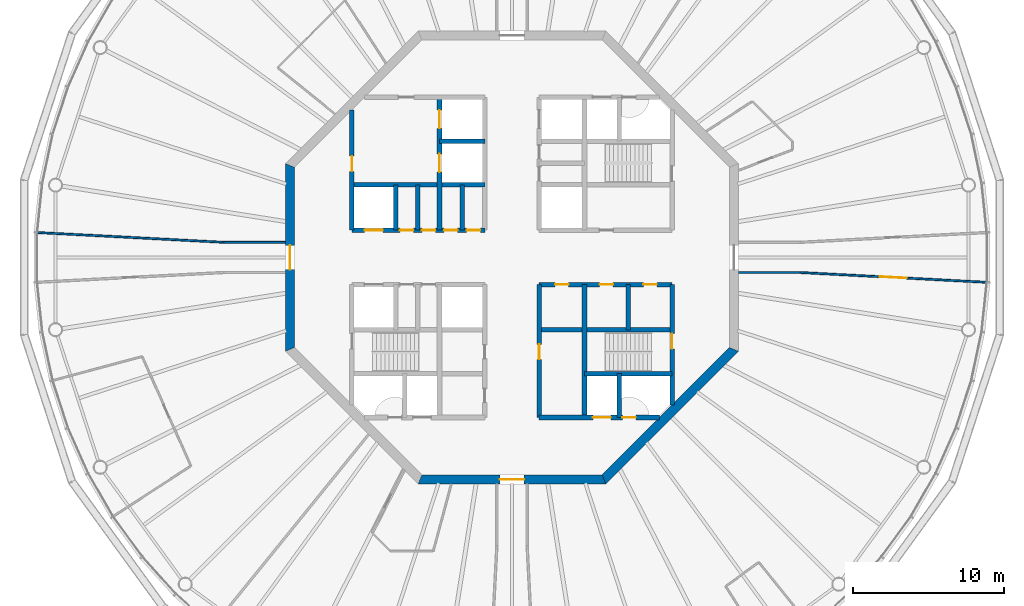
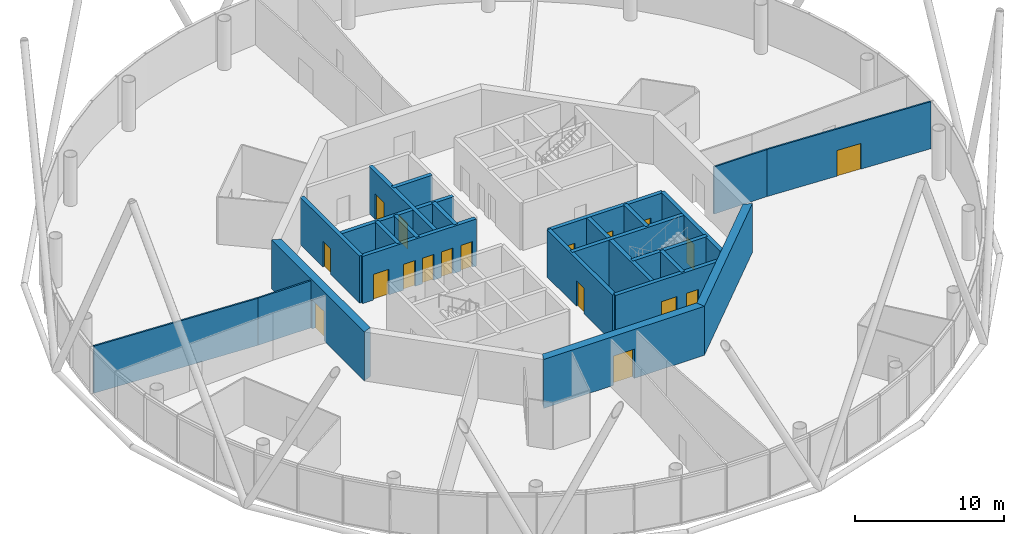
# One storey, part 4 of 13: 24 walls, 18 doors, 18 openings.
"""IFC4 building model written with IfcOpenShell, lengths in metres."""

from ifc_helpers import new_model, si_unit, direction, frame, frame_2d, origin, place, context, subcontext, project, spatial, polyline, rectangle, outline, extrude, material, layer, layer_set, type_object, element, fill, save


model = new_model("IFC4")

# Units and contexts
model_context = context("Model", 3, precision=1e-05, world=origin(), true_north=direction((0.0, 1.0)))
body_context = subcontext(model_context, "Body", "Model", "MODEL_VIEW")
ifc_project = project(units=[si_unit("LENGTHUNIT", "METRE"), si_unit("AREAUNIT", "SQUARE_METRE"), si_unit("VOLUMEUNIT", "CUBIC_METRE"), si_unit("PLANEANGLEUNIT", "RADIAN"), si_unit("MASSUNIT", "GRAM", prefix="KILO")], contexts=[model_context])

# Site, building, storey
site_placement = place(None, origin())
site = spatial("IfcSite", under=ifc_project, at=site_placement, CompositionType="ELEMENT")
building_placement = place(site_placement, origin())
building = spatial("IfcBuilding", under=site, at=building_placement, Name="Entoto Ring Tower", CompositionType="ELEMENT")
storey_placement = place(building_placement, frame((0.0, 0.0, 372.0)))
storey = spatial("IfcBuildingStorey", under=building, at=storey_placement, Name="L86", CompositionType="ELEMENT", Elevation=372.0)

# Wall, opening, door
ifc_material_1 = material(Name="Concrete C40/50", Category="concrete")
ifc_layer_1 = layer(ifc_material_1, 0.300048828125)
ifc_layer_set_1 = layer_set([ifc_layer_1], Name="Concrete C40/50")
wall_type_1 = type_object("IfcWallType", Name="Core enclosure wall 300 mm reinforced concrete", PredefinedType="SOLIDWALL", material=ifc_layer_set_1)
wall_1_placement = place(storey_placement, frame((100.60009765625, 70.2353515625, 0.0), z_axis=(0.0, 0.0, 1.0), x_axis=(0.0, 1.0, 0.0)))
wall_1 = element("IfcWall", 1, at=wall_1_placement, inside=storey, type_object=wall_type_1, Name="wall-L86-001", PredefinedType="SOLIDWALL", context=body_context, shape_type="SweptSolid", body=[
    extrude(rectangle(XDim=7.964599609375, YDim=0.300048828125, at=frame_2d((3.982421875, 0.0))), origin(), (0.0, 0.0, 1.0), 3.85009765625),
])
opening_1_placement = place(wall_1_placement, frame((3.714599609375, 0.0, 0.0)))
opening_1 = element("IfcOpeningElement", 2, at=opening_1_placement, cuts=wall_1, Name="Opening K-28", PredefinedType="OPENING", context=body_context, shape_type="SweptSolid", body=[
    extrude(rectangle(XDim=1.0, YDim=2.10009765625, at=frame_2d((0.5, 1.050048828125))), frame((0.0, 0.16015625, 0.0), z_axis=(0.0, -1.0, 0.0), x_axis=(1.0, 0.0, 0.0)), (0.0, 0.0, 1.0), 0.320068359375),
])
ifc_material_2 = material(Name="Steel door leaf, fire rated", Category="steel")
ifc_layer_2 = layer(ifc_material_2, 0.050048828125)
ifc_layer_set_2 = layer_set([ifc_layer_2], Name="Steel door leaf, fire rated")
door_type_1 = type_object("IfcDoorType", Name="Fire door FD60 1000 x 2100 single leaf", OperationType="NOTDEFINED", PredefinedType="DOOR", material=ifc_layer_set_2)
door_1_placement = place(opening_1_placement, origin())
door_1 = element("IfcDoor", 3, at=door_1_placement, inside=storey, type_object=door_type_1, Name="Door K-28", OperationType="SINGLE_SWING_RIGHT", OverallHeight=2.10009765625, OverallWidth=1.0, PredefinedType="DOOR", context=body_context, shape_type="SweptSolid", body=[
    extrude(rectangle(XDim=1.0, YDim=2.10009765625, at=frame_2d((0.5, 1.050048828125))), frame((0.0, 0.02490234375, 0.0), z_axis=(0.0, -1.0, 0.0), x_axis=(1.0, 0.0, 0.0)), (0.0, 0.0, 1.0), 0.050048828125),
])
fill(opening_1, door_1)

# Walls
wall_2_placement = place(storey_placement, frame((97.699951171875, 75.199951171875, 0.0), z_axis=(0.0, 0.0, 1.0), x_axis=(0.0, 1.0, 0.0)))
element("IfcWall", 4, at=wall_2_placement, inside=storey, type_object=wall_type_1, Name="wall-L86-003", PredefinedType="SOLIDWALL", context=body_context, shape_type="SweptSolid", body=[
    extrude(rectangle(XDim=3.0, YDim=0.300048828125, at=frame_2d((1.5, 0.0))), origin(), (0.0, 0.0, 1.0), 3.85009765625),
])
wall_3_placement = place(storey_placement, frame((97.10009765625, 69.39990234375, 0.0), z_axis=(0.0, 0.0, 1.0), x_axis=(0.0, 1.0, 0.0)))
element("IfcWall", 5, at=wall_3_placement, inside=storey, type_object=wall_type_1, Name="wall-L86-004", PredefinedType="SOLIDWALL", context=body_context, shape_type="SweptSolid", body=[
    extrude(rectangle(XDim=2.900146484375, YDim=0.300048828125, at=frame_2d((1.4501953125, 0.0))), origin(), (0.0, 0.0, 1.0), 3.85009765625),
])
wall_4_placement = place(storey_placement, frame((94.800048828125, 69.39990234375, 0.0), z_axis=(0.0, 0.0, 1.0), x_axis=(0.0, 1.0, 0.0)))
element("IfcWall", 6, at=wall_4_placement, inside=storey, type_object=wall_type_1, Name="wall-L86-006", PredefinedType="SOLIDWALL", context=body_context, shape_type="SweptSolid", body=[
    extrude(rectangle(XDim=8.800048828125, YDim=0.300048828125, at=frame_2d((4.39990234375, 0.0))), origin(), (0.0, 0.0, 1.0), 3.85009765625),
])

# Wall, opening, door
wall_5_placement = place(storey_placement, frame((91.800048828125, 69.39990234375, 0.0), z_axis=(0.0, 0.0, 1.0), x_axis=(0.0, 1.0, 0.0)))
wall_5 = element("IfcWall", 7, at=wall_5_placement, inside=storey, type_object=wall_type_1, Name="wall-L86-008", PredefinedType="SOLIDWALL", context=body_context, shape_type="SweptSolid", body=[
    extrude(rectangle(XDim=8.800048828125, YDim=0.300048828125, at=frame_2d((4.39990234375, 0.0))), origin(), (0.0, 0.0, 1.0), 3.85009765625),
])
opening_2_placement = place(wall_5_placement, frame((3.85009765625, 0.0, 0.0)))
opening_2 = element("IfcOpeningElement", 8, at=opening_2_placement, cuts=wall_5, Name="Opening K-64", PredefinedType="OPENING", context=body_context, shape_type="SweptSolid", body=[
    extrude(rectangle(XDim=1.0, YDim=2.10009765625, at=frame_2d((0.5, 1.050048828125))), frame((0.0, 0.16015625, 0.0), z_axis=(0.0, -1.0, 0.0), x_axis=(1.0, 0.0, 0.0)), (0.0, 0.0, 1.0), 0.320068359375),
])
ifc_material_3 = material(Name="Steel door leaf, fire rated", Category="steel")
ifc_layer_3 = layer(ifc_material_3, 0.050048828125)
ifc_layer_set_3 = layer_set([ifc_layer_3], Name="Steel door leaf, fire rated")
door_type_2 = type_object("IfcDoorType", Name="Accessible door 1000 x 2100 single leaf", OperationType="NOTDEFINED", PredefinedType="DOOR", material=ifc_layer_set_3)
door_2_placement = place(opening_2_placement, frame((1.0, 0.0, 0.0), z_axis=(0.0, 0.0, 1.0), x_axis=(-1.0, 0.0, 0.0)))
door_2 = element("IfcDoor", 9, at=door_2_placement, inside=storey, type_object=door_type_2, Name="Door K-64", OperationType="SINGLE_SWING_LEFT", OverallHeight=2.10009765625, OverallWidth=1.0, PredefinedType="DOOR", context=body_context, shape_type="SweptSolid", body=[
    extrude(rectangle(XDim=1.0, YDim=2.10009765625, at=frame_2d((0.5, 1.050048828125))), frame((0.0, 0.02490234375, 0.0), z_axis=(0.0, -1.0, 0.0), x_axis=(1.0, 0.0, 0.0)), (0.0, 0.0, 1.0), 0.050048828125),
])
fill(opening_2, door_2)

# Wall
wall_6_placement = place(storey_placement, frame((86.699951171875, 81.800048828125, 0.0), z_axis=(0.0, 0.0, 1.0), x_axis=(0.0, 1.0, 0.0)))
element("IfcWall", 10, at=wall_6_placement, inside=storey, type_object=wall_type_1, Name="wall-L86-012", PredefinedType="SOLIDWALL", context=body_context, shape_type="SweptSolid", body=[
    extrude(rectangle(XDim=3.0, YDim=0.300048828125, at=frame_2d((1.5, 0.0))), origin(), (0.0, 0.0, 1.0), 3.85009765625),
])

# Wall, openings, doors
wall_7_placement = place(storey_placement, frame((85.199951171875, 81.800048828125, 0.0), z_axis=(0.0, 0.0, 1.0), x_axis=(0.0, 1.0, 0.0)))
wall_7 = element("IfcWall", 11, at=wall_7_placement, inside=storey, type_object=wall_type_1, Name="wall-L86-014", PredefinedType="SOLIDWALL", context=body_context, shape_type="SweptSolid", body=[
    extrude(rectangle(XDim=8.800048828125, YDim=0.300048828125, at=frame_2d((4.39990234375, 0.0))), origin(), (0.0, 0.0, 1.0), 3.85009765625),
])
opening_3_placement = place(wall_7_placement, frame((3.85009765625, 0.0, 0.0)))
opening_3 = element("IfcOpeningElement", 12, at=opening_3_placement, cuts=wall_7, Name="Opening LD", PredefinedType="OPENING", context=body_context, shape_type="SweptSolid", body=[
    extrude(rectangle(XDim=1.199951171875, YDim=2.10009765625, at=frame_2d((0.60009765625, 1.050048828125))), frame((0.0, 0.16015625, 0.0), z_axis=(0.0, -1.0, 0.0), x_axis=(1.0, 0.0, 0.0)), (0.0, 0.0, 1.0), 0.320068359375),
])
opening_4_placement = place(wall_7_placement, frame((6.75, 0.0, 0.0)))
opening_4 = element("IfcOpeningElement", 13, at=opening_4_placement, cuts=wall_7, Name="Opening LD", PredefinedType="OPENING", context=body_context, shape_type="SweptSolid", body=[
    extrude(rectangle(XDim=1.199951171875, YDim=2.10009765625, at=frame_2d((0.60009765625, 1.050048828125))), frame((0.0, 0.16015625, 0.0), z_axis=(0.0, -1.0, 0.0), x_axis=(1.0, 0.0, 0.0)), (0.0, 0.0, 1.0), 0.320068359375),
])
ifc_material_4 = material(Name="Steel and glass door leaf", Category="steel")
ifc_layer_4 = layer(ifc_material_4, 0.050048828125)
ifc_layer_set_4 = layer_set([ifc_layer_4], Name="Steel and glass door leaf")
door_type_3 = type_object("IfcDoorType", Name="Landing door 1200 x 2100 sliding", OperationType="DOUBLE_DOOR_SLIDING", PredefinedType="DOOR", material=ifc_layer_set_4)
door_3_placement = place(opening_3_placement, origin())
door_3 = element("IfcDoor", 14, at=door_3_placement, inside=storey, type_object=door_type_3, Name="Landing door FF1", OperationType="SLIDING_TO_RIGHT", OverallHeight=2.10009765625, OverallWidth=1.199951171875, PredefinedType="DOOR", context=body_context, shape_type="SweptSolid", body=[
    extrude(rectangle(XDim=1.199951171875, YDim=2.10009765625, at=frame_2d((0.60009765625, 1.050048828125))), frame((0.0, 0.02490234375, 0.0), z_axis=(0.0, -1.0, 0.0), x_axis=(1.0, 0.0, 0.0)), (0.0, 0.0, 1.0), 0.050048828125),
])
fill(opening_3, door_3)
door_4_placement = place(opening_4_placement, origin())
door_4 = element("IfcDoor", 15, at=door_4_placement, inside=storey, type_object=door_type_3, Name="Landing door FF2", OperationType="SLIDING_TO_RIGHT", OverallHeight=2.10009765625, OverallWidth=1.199951171875, PredefinedType="DOOR", context=body_context, shape_type="SweptSolid", body=[
    extrude(rectangle(XDim=1.199951171875, YDim=2.10009765625, at=frame_2d((0.60009765625, 1.050048828125))), frame((0.0, 0.02490234375, 0.0), z_axis=(0.0, -1.0, 0.0), x_axis=(1.0, 0.0, 0.0)), (0.0, 0.0, 1.0), 0.050048828125),
])
fill(opening_4, door_4)

# Walls
for number, where, z_axis, x_axis, name in (
    (16, (83.75, 81.800048828125, 0.0), (0.0, 0.0, 1.0), (0.0, 1.0, 0.0), "wall-L86-016"),
    (17, (82.300048828125, 81.800048828125, 0.0), (0.0, 0.0, 1.0), (0.0, 1.0, 0.0), "wall-L86-019"),
):
    element("IfcWall", number, at=place(storey_placement, frame(where, z_axis=z_axis, x_axis=x_axis)), inside=storey, type_object=wall_type_1, Name=name, PredefinedType="SOLIDWALL", context=body_context, shape_type="SweptSolid", body=[
        extrude(rectangle(XDim=3.0, YDim=0.300048828125, at=frame_2d((1.5, 0.0))), origin(), (0.0, 0.0, 1.0), 3.85009765625),
    ])

# Wall, opening, door
wall_8_placement = place(storey_placement, frame((79.39990234375, 81.800048828125, 0.0), z_axis=(0.0, 0.0, 1.0), x_axis=(0.0, 1.0, 0.0)))
wall_8 = element("IfcWall", 18, at=wall_8_placement, inside=storey, type_object=wall_type_1, Name="wall-L86-021", PredefinedType="SOLIDWALL", context=body_context, shape_type="SweptSolid", body=[
    extrude(rectangle(XDim=7.964599609375, YDim=0.300048828125, at=frame_2d((3.982421875, 0.0))), origin(), (0.0, 0.0, 1.0), 3.85009765625),
])
opening_5_placement = place(wall_8_placement, frame((3.89990234375, 0.0, 0.0)))
opening_5 = element("IfcOpeningElement", 19, at=opening_5_placement, cuts=wall_8, Name="Opening K-86", PredefinedType="OPENING", context=body_context, shape_type="SweptSolid", body=[
    extrude(rectangle(XDim=1.0, YDim=2.10009765625, at=frame_2d((0.5, 1.050048828125))), frame((0.0, 0.16015625, 0.0), z_axis=(0.0, -1.0, 0.0), x_axis=(1.0, 0.0, 0.0)), (0.0, 0.0, 1.0), 0.320068359375),
])
door_5_placement = place(opening_5_placement, frame((1.0, 0.0, 0.0), z_axis=(0.0, 0.0, 1.0), x_axis=(-1.0, 0.0, 0.0)))
door_5 = element("IfcDoor", 20, at=door_5_placement, inside=storey, type_object=door_type_1, Name="Door K-86", OperationType="SINGLE_SWING_RIGHT", OverallHeight=2.10009765625, OverallWidth=1.0, PredefinedType="DOOR", context=body_context, shape_type="SweptSolid", body=[
    extrude(rectangle(XDim=1.0, YDim=2.10009765625, at=frame_2d((0.5, 1.050048828125))), frame((0.0, 0.02490234375, 0.0), z_axis=(0.0, -1.0, 0.0), x_axis=(1.0, 0.0, 0.0)), (0.0, 0.0, 1.0), 0.050048828125),
])
fill(opening_5, door_5)

# Wall, openings, doors
wall_9_placement = place(storey_placement, frame((91.800048828125, 69.39990234375, 0.0), z_axis=(0.0, 0.0, 1.0), x_axis=(1.0, 0.0, 0.0)))
wall_9 = element("IfcWall", 21, at=wall_9_placement, inside=storey, type_object=wall_type_1, Name="wall-L86-023", PredefinedType="SOLIDWALL", context=body_context, shape_type="SweptSolid", body=[
    extrude(rectangle(XDim=7.964599609375, YDim=0.300048828125, at=frame_2d((3.982421875, 0.0))), origin(), (0.0, 0.0, 1.0), 3.85009765625),
])
opening_6_placement = place(wall_9_placement, frame((3.550048828125, 0.0, 0.0)))
opening_6 = element("IfcOpeningElement", 22, at=opening_6_placement, cuts=wall_9, Name="Opening LD", PredefinedType="OPENING", context=body_context, shape_type="SweptSolid", body=[
    extrude(rectangle(XDim=1.199951171875, YDim=2.10009765625, at=frame_2d((0.60009765625, 1.050048828125))), frame((0.0, 0.16015625, 0.0), z_axis=(0.0, -1.0, 0.0), x_axis=(1.0, 0.0, 0.0)), (0.0, 0.0, 1.0), 0.320068359375),
])
opening_7_placement = place(wall_9_placement, frame((5.5, 0.0, 0.0)))
opening_7 = element("IfcOpeningElement", 23, at=opening_7_placement, cuts=wall_9, Name="Opening K-85", PredefinedType="OPENING", context=body_context, shape_type="SweptSolid", body=[
    extrude(rectangle(XDim=0.89990234375, YDim=2.10009765625, at=frame_2d((0.449951171875, 1.050048828125))), frame((0.0, 0.16015625, 0.0), z_axis=(0.0, -1.0, 0.0), x_axis=(1.0, 0.0, 0.0)), (0.0, 0.0, 1.0), 0.320068359375),
])
door_6_placement = place(opening_6_placement, origin())
door_6 = element("IfcDoor", 24, at=door_6_placement, inside=storey, type_object=door_type_3, Name="Landing door LB2-HR", OperationType="SLIDING_TO_RIGHT", OverallHeight=2.10009765625, OverallWidth=1.199951171875, PredefinedType="DOOR", context=body_context, shape_type="SweptSolid", body=[
    extrude(rectangle(XDim=1.199951171875, YDim=2.10009765625, at=frame_2d((0.60009765625, 1.050048828125))), frame((0.0, 0.02490234375, 0.0), z_axis=(0.0, -1.0, 0.0), x_axis=(1.0, 0.0, 0.0)), (0.0, 0.0, 1.0), 0.050048828125),
])
fill(opening_6, door_6)
ifc_material_5 = material(Name="Steel door leaf, fire rated", Category="steel")
ifc_layer_5 = layer(ifc_material_5, 0.050048828125)
ifc_layer_set_5 = layer_set([ifc_layer_5], Name="Steel door leaf, fire rated")
door_type_4 = type_object("IfcDoorType", Name="Riser door FD60 900 x 2100 single leaf", OperationType="NOTDEFINED", PredefinedType="DOOR", material=ifc_layer_set_5)
door_7_placement = place(opening_7_placement, origin())
door_7 = element("IfcDoor", 25, at=door_7_placement, inside=storey, type_object=door_type_4, Name="Door K-85", OperationType="SINGLE_SWING_LEFT", OverallHeight=2.10009765625, OverallWidth=0.89990234375, PredefinedType="DOOR", context=body_context, shape_type="SweptSolid", body=[
    extrude(rectangle(XDim=0.89990234375, YDim=2.10009765625, at=frame_2d((0.449951171875, 1.050048828125))), frame((0.0, 0.02490234375, 0.0), z_axis=(0.0, -1.0, 0.0), x_axis=(1.0, 0.0, 0.0)), (0.0, 0.0, 1.0), 0.050048828125),
])
fill(opening_7, door_7)

# Walls
wall_10_placement = place(storey_placement, frame((94.800048828125, 72.300048828125, 0.0), z_axis=(0.0, 0.0, 1.0), x_axis=(1.0, 0.0, 0.0)))
element("IfcWall", 26, at=wall_10_placement, inside=storey, type_object=wall_type_1, Name="wall-L86-025", PredefinedType="SOLIDWALL", context=body_context, shape_type="SweptSolid", body=[
    extrude(rectangle(XDim=5.800048828125, YDim=0.300048828125, at=frame_2d((2.89990234375, 0.0))), origin(), (0.0, 0.0, 1.0), 3.85009765625),
])
wall_11_placement = place(storey_placement, frame((91.800048828125, 75.199951171875, 0.0), z_axis=(0.0, 0.0, 1.0), x_axis=(1.0, 0.0, 0.0)))
element("IfcWall", 27, at=wall_11_placement, inside=storey, type_object=wall_type_1, Name="wall-L86-027", PredefinedType="SOLIDWALL", context=body_context, shape_type="SweptSolid", body=[
    extrude(rectangle(XDim=8.800048828125, YDim=0.300048828125, at=frame_2d((4.39990234375, 0.0))), origin(), (0.0, 0.0, 1.0), 3.85009765625),
])

# Wall, openings, doors
wall_12_placement = place(storey_placement, frame((91.800048828125, 78.199951171875, 0.0), z_axis=(0.0, 0.0, 1.0), x_axis=(1.0, 0.0, 0.0)))
wall_12 = element("IfcWall", 28, at=wall_12_placement, inside=storey, type_object=wall_type_1, Name="wall-L86-029", PredefinedType="SOLIDWALL", context=body_context, shape_type="SweptSolid", body=[
    extrude(rectangle(XDim=8.800048828125, YDim=0.300048828125, at=frame_2d((4.39990234375, 0.0))), origin(), (0.0, 0.0, 1.0), 3.85009765625),
])
opening_8_placement = place(wall_12_placement, frame((4.0, 0.0, 0.0)))
opening_8 = element("IfcOpeningElement", 29, at=opening_8_placement, cuts=wall_12, Name="Opening K-14", PredefinedType="OPENING", context=body_context, shape_type="SweptSolid", body=[
    extrude(rectangle(XDim=0.89990234375, YDim=2.10009765625, at=frame_2d((0.449951171875, 1.050048828125))), frame((0.0, 0.16015625, 0.0), z_axis=(0.0, -1.0, 0.0), x_axis=(1.0, 0.0, 0.0)), (0.0, 0.0, 1.0), 0.320068359375),
])
opening_9_placement = place(wall_12_placement, frame((6.89990234375, 0.0, 0.0)))
opening_9 = element("IfcOpeningElement", 30, at=opening_9_placement, cuts=wall_12, Name="Opening K-15", PredefinedType="OPENING", context=body_context, shape_type="SweptSolid", body=[
    extrude(rectangle(XDim=0.89990234375, YDim=2.10009765625, at=frame_2d((0.449951171875, 1.050048828125))), frame((0.0, 0.16015625, 0.0), z_axis=(0.0, -1.0, 0.0), x_axis=(1.0, 0.0, 0.0)), (0.0, 0.0, 1.0), 0.320068359375),
])
opening_10_placement = place(wall_12_placement, frame((1.050048828125, 0.0, 0.0)))
opening_10 = element("IfcOpeningElement", 31, at=opening_10_placement, cuts=wall_12, Name="Opening K-25", PredefinedType="OPENING", context=body_context, shape_type="SweptSolid", body=[
    extrude(rectangle(XDim=0.89990234375, YDim=2.10009765625, at=frame_2d((0.449951171875, 1.050048828125))), frame((0.0, 0.16015625, 0.0), z_axis=(0.0, -1.0, 0.0), x_axis=(1.0, 0.0, 0.0)), (0.0, 0.0, 1.0), 0.320068359375),
])
ifc_material_6 = material(Name="Steel door leaf, fire rated", Category="steel")
ifc_layer_6 = layer(ifc_material_6, 0.050048828125)
ifc_layer_set_6 = layer_set([ifc_layer_6], Name="Steel door leaf, fire rated")
door_type_5 = type_object("IfcDoorType", Name="Core door 900 x 2100 single leaf", OperationType="NOTDEFINED", PredefinedType="DOOR", material=ifc_layer_set_6)
door_8_placement = place(opening_8_placement, frame((0.89990234375, 0.0, 0.0), z_axis=(0.0, 0.0, 1.0), x_axis=(-1.0, 0.0, 0.0)))
door_8 = element("IfcDoor", 32, at=door_8_placement, inside=storey, type_object=door_type_5, Name="Door K-14", OperationType="SINGLE_SWING_RIGHT", OverallHeight=2.10009765625, OverallWidth=0.89990234375, PredefinedType="DOOR", context=body_context, shape_type="SweptSolid", body=[
    extrude(rectangle(XDim=0.89990234375, YDim=2.10009765625, at=frame_2d((0.449951171875, 1.050048828125))), frame((0.0, 0.02490234375, 0.0), z_axis=(0.0, -1.0, 0.0), x_axis=(1.0, 0.0, 0.0)), (0.0, 0.0, 1.0), 0.050048828125),
])
fill(opening_8, door_8)
door_9_placement = place(opening_9_placement, frame((0.89990234375, 0.0, 0.0), z_axis=(0.0, 0.0, 1.0), x_axis=(-1.0, 0.0, 0.0)))
door_9 = element("IfcDoor", 33, at=door_9_placement, inside=storey, type_object=door_type_5, Name="Door K-15", OperationType="SINGLE_SWING_LEFT", OverallHeight=2.10009765625, OverallWidth=0.89990234375, PredefinedType="DOOR", context=body_context, shape_type="SweptSolid", body=[
    extrude(rectangle(XDim=0.89990234375, YDim=2.10009765625, at=frame_2d((0.449951171875, 1.050048828125))), frame((0.0, 0.02490234375, 0.0), z_axis=(0.0, -1.0, 0.0), x_axis=(1.0, 0.0, 0.0)), (0.0, 0.0, 1.0), 0.050048828125),
])
fill(opening_9, door_9)
door_10_placement = place(opening_10_placement, frame((0.89990234375, 0.0, 0.0), z_axis=(0.0, 0.0, 1.0), x_axis=(-1.0, 0.0, 0.0)))
door_10 = element("IfcDoor", 34, at=door_10_placement, inside=storey, type_object=door_type_5, Name="Door K-25", OperationType="SINGLE_SWING_RIGHT", OverallHeight=2.10009765625, OverallWidth=0.89990234375, PredefinedType="DOOR", context=body_context, shape_type="SweptSolid", body=[
    extrude(rectangle(XDim=0.89990234375, YDim=2.10009765625, at=frame_2d((0.449951171875, 1.050048828125))), frame((0.0, 0.02490234375, 0.0), z_axis=(0.0, -1.0, 0.0), x_axis=(1.0, 0.0, 0.0)), (0.0, 0.0, 1.0), 0.050048828125),
])
fill(opening_10, door_10)

wall_13_placement = place(storey_placement, frame((79.39990234375, 81.800048828125, 0.0), z_axis=(0.0, 0.0, 1.0), x_axis=(1.0, 0.0, 0.0)))
wall_13 = element("IfcWall", 35, at=wall_13_placement, inside=storey, type_object=wall_type_1, Name="wall-L86-030", PredefinedType="SOLIDWALL", context=body_context, shape_type="SweptSolid", body=[
    extrude(rectangle(XDim=8.800048828125, YDim=0.300048828125, at=frame_2d((4.39990234375, 0.0))), origin(), (0.0, 0.0, 1.0), 3.85009765625),
])
opening_11_placement = place(wall_13_placement, frame((0.85009765625, 0.0, 0.0)))
opening_11 = element("IfcOpeningElement", 36, at=opening_11_placement, cuts=wall_13, Name="Opening LD", PredefinedType="OPENING", context=body_context, shape_type="SweptSolid", body=[
    extrude(rectangle(XDim=1.199951171875, YDim=2.10009765625, at=frame_2d((0.60009765625, 1.050048828125))), frame((0.0, 0.16015625, 0.0), z_axis=(0.0, -1.0, 0.0), x_axis=(1.0, 0.0, 0.0)), (0.0, 0.0, 1.0), 0.320068359375),
])
opening_12_placement = place(wall_13_placement, frame((3.175048828125, 0.0, 0.0)))
opening_12 = element("IfcOpeningElement", 37, at=opening_12_placement, cuts=wall_13, Name="Opening K-12", PredefinedType="OPENING", context=body_context, shape_type="SweptSolid", body=[
    extrude(rectangle(XDim=0.89990234375, YDim=2.10009765625, at=frame_2d((0.449951171875, 1.050048828125))), frame((0.0, 0.16015625, 0.0), z_axis=(0.0, -1.0, 0.0), x_axis=(1.0, 0.0, 0.0)), (0.0, 0.0, 1.0), 0.320068359375),
])
opening_13_placement = place(wall_13_placement, frame((4.625, 0.0, 0.0)))
opening_13 = element("IfcOpeningElement", 38, at=opening_13_placement, cuts=wall_13, Name="Opening K-46", PredefinedType="OPENING", context=body_context, shape_type="SweptSolid", body=[
    extrude(rectangle(XDim=0.89990234375, YDim=2.10009765625, at=frame_2d((0.449951171875, 1.050048828125))), frame((0.0, 0.16015625, 0.0), z_axis=(0.0, -1.0, 0.0), x_axis=(1.0, 0.0, 0.0)), (0.0, 0.0, 1.0), 0.320068359375),
])
opening_14_placement = place(wall_13_placement, frame((6.10009765625, 0.0, 0.0)))
opening_14 = element("IfcOpeningElement", 39, at=opening_14_placement, cuts=wall_13, Name="Opening K-71", PredefinedType="OPENING", context=body_context, shape_type="SweptSolid", body=[
    extrude(rectangle(XDim=0.89990234375, YDim=2.10009765625, at=frame_2d((0.449951171875, 1.050048828125))), frame((0.0, 0.16015625, 0.0), z_axis=(0.0, -1.0, 0.0), x_axis=(1.0, 0.0, 0.0)), (0.0, 0.0, 1.0), 0.320068359375),
])
opening_15_placement = place(wall_13_placement, frame((7.60009765625, 0.0, 0.0)))
opening_15 = element("IfcOpeningElement", 40, at=opening_15_placement, cuts=wall_13, Name="Opening K-24", PredefinedType="OPENING", context=body_context, shape_type="SweptSolid", body=[
    extrude(rectangle(XDim=0.89990234375, YDim=2.10009765625, at=frame_2d((0.449951171875, 1.050048828125))), frame((0.0, 0.16015625, 0.0), z_axis=(0.0, -1.0, 0.0), x_axis=(1.0, 0.0, 0.0)), (0.0, 0.0, 1.0), 0.320068359375),
])
door_11_placement = place(opening_12_placement, origin())
door_11 = element("IfcDoor", 41, at=door_11_placement, inside=storey, type_object=door_type_5, Name="Door K-12", OperationType="SINGLE_SWING_RIGHT", OverallHeight=2.10009765625, OverallWidth=0.89990234375, PredefinedType="DOOR", context=body_context, shape_type="SweptSolid", body=[
    extrude(rectangle(XDim=0.89990234375, YDim=2.10009765625, at=frame_2d((0.449951171875, 1.050048828125))), frame((0.0, 0.02490234375, 0.0), z_axis=(0.0, -1.0, 0.0), x_axis=(1.0, 0.0, 0.0)), (0.0, 0.0, 1.0), 0.050048828125),
])
fill(opening_12, door_11)
door_12_placement = place(opening_13_placement, origin())
door_12 = element("IfcDoor", 42, at=door_12_placement, inside=storey, type_object=door_type_5, Name="Door K-46", OperationType="SINGLE_SWING_RIGHT", OverallHeight=2.10009765625, OverallWidth=0.89990234375, PredefinedType="DOOR", context=body_context, shape_type="SweptSolid", body=[
    extrude(rectangle(XDim=0.89990234375, YDim=2.10009765625, at=frame_2d((0.449951171875, 1.050048828125))), frame((0.0, 0.02490234375, 0.0), z_axis=(0.0, -1.0, 0.0), x_axis=(1.0, 0.0, 0.0)), (0.0, 0.0, 1.0), 0.050048828125),
])
fill(opening_13, door_12)
door_13_placement = place(opening_14_placement, origin())
door_13 = element("IfcDoor", 43, at=door_13_placement, inside=storey, type_object=door_type_5, Name="Door K-71", OperationType="SINGLE_SWING_LEFT", OverallHeight=2.10009765625, OverallWidth=0.89990234375, PredefinedType="DOOR", context=body_context, shape_type="SweptSolid", body=[
    extrude(rectangle(XDim=0.89990234375, YDim=2.10009765625, at=frame_2d((0.449951171875, 1.050048828125))), frame((0.0, 0.02490234375, 0.0), z_axis=(0.0, -1.0, 0.0), x_axis=(1.0, 0.0, 0.0)), (0.0, 0.0, 1.0), 0.050048828125),
])
fill(opening_14, door_13)
door_14_placement = place(opening_15_placement, origin())
door_14 = element("IfcDoor", 44, at=door_14_placement, inside=storey, type_object=door_type_5, Name="Door K-24", OperationType="SINGLE_SWING_LEFT", OverallHeight=2.10009765625, OverallWidth=0.89990234375, PredefinedType="DOOR", context=body_context, shape_type="SweptSolid", body=[
    extrude(rectangle(XDim=0.89990234375, YDim=2.10009765625, at=frame_2d((0.449951171875, 1.050048828125))), frame((0.0, 0.02490234375, 0.0), z_axis=(0.0, -1.0, 0.0), x_axis=(1.0, 0.0, 0.0)), (0.0, 0.0, 1.0), 0.050048828125),
])
fill(opening_15, door_14)
door_15_placement = place(opening_11_placement, origin())
door_15 = element("IfcDoor", 45, at=door_15_placement, inside=storey, type_object=door_type_3, Name="Landing door SH1", OperationType="SLIDING_TO_RIGHT", OverallHeight=2.10009765625, OverallWidth=1.199951171875, PredefinedType="DOOR", context=body_context, shape_type="SweptSolid", body=[
    extrude(rectangle(XDim=1.199951171875, YDim=2.10009765625, at=frame_2d((0.60009765625, 1.050048828125))), frame((0.0, 0.02490234375, 0.0), z_axis=(0.0, -1.0, 0.0), x_axis=(1.0, 0.0, 0.0)), (0.0, 0.0, 1.0), 0.050048828125),
])
fill(opening_11, door_15)

# Walls
wall_14_placement = place(storey_placement, frame((79.39990234375, 84.800048828125, 0.0), z_axis=(0.0, 0.0, 1.0), x_axis=(1.0, 0.0, 0.0)))
element("IfcWall", 46, at=wall_14_placement, inside=storey, type_object=wall_type_1, Name="wall-L86-032", PredefinedType="SOLIDWALL", context=body_context, shape_type="SweptSolid", body=[
    extrude(rectangle(XDim=8.800048828125, YDim=0.300048828125, at=frame_2d((4.39990234375, 0.0))), origin(), (0.0, 0.0, 1.0), 3.85009765625),
])
wall_15_placement = place(storey_placement, frame((85.199951171875, 87.699951171875, 0.0), z_axis=(0.0, 0.0, 1.0), x_axis=(1.0, 0.0, 0.0)))
element("IfcWall", 47, at=wall_15_placement, inside=storey, type_object=wall_type_1, Name="wall-L86-035", PredefinedType="SOLIDWALL", context=body_context, shape_type="SweptSolid", body=[
    extrude(rectangle(XDim=3.0, YDim=0.300048828125, at=frame_2d((1.5, 0.0))), origin(), (0.0, 0.0, 1.0), 3.85009765625),
])

# Wall, opening, door
ifc_material_7 = material(Name="Concrete C40/50", Category="concrete")
ifc_layer_7 = layer(ifc_material_7, 0.60009765625)
ifc_layer_set_7 = layer_set([ifc_layer_7], Name="Concrete C40/50")
wall_type_2 = type_object("IfcWallType", Name="Core shear wall 600 mm reinforced concrete C40/50", PredefinedType="SHEAR", material=ifc_layer_set_7)
wall_16_placement = place(storey_placement, frame((75.300048828125, 86.0888671875, 0.0), z_axis=(0.0, 0.0, 1.0), x_axis=(0.0, -1.0, 0.0)))
wall_16 = element("IfcWall", 48, at=wall_16_placement, inside=storey, type_object=wall_type_2, Name="wall-L86-core-4", PredefinedType="SHEAR", context=body_context, shape_type="SweptSolid", body=[
    extrude(outline(polyline([(-0.124267578125, -0.300048828125), (12.302001953125, -0.300048828125), (12.053466796875, 0.300048828125), (0.124267578125, 0.300048828125), (-0.124267578125, -0.300048828125)])), origin(), (0.0, 0.0, 1.0), 4.0),
])
opening_16_placement = place(wall_16_placement, frame((5.288818359375, 0.0, 0.0)))
opening_16 = element("IfcOpeningElement", 49, at=opening_16_placement, cuts=wall_16, Name="Opening K-03", PredefinedType="OPENING", context=body_context, shape_type="SweptSolid", body=[
    extrude(rectangle(XDim=1.60009765625, YDim=2.39990234375, at=frame_2d((0.800048828125, 1.199951171875))), frame((0.0, 0.31005859375, 0.0), z_axis=(0.0, -1.0, 0.0), x_axis=(1.0, 0.0, 0.0)), (0.0, 0.0, 1.0), 0.6201171875),
])
ifc_material_8 = material(Name="Steel door leaf, fire rated", Category="steel")
ifc_layer_8 = layer(ifc_material_8, 0.050048828125)
ifc_layer_set_8 = layer_set([ifc_layer_8], Name="Steel door leaf, fire rated")
door_type_6 = type_object("IfcDoorType", Name="Entrance door FD60 1600 x 2400 double leaf", OperationType="DOUBLE_DOOR_SINGLE_SWING", PredefinedType="DOOR", material=ifc_layer_set_8)
door_16_placement = place(opening_16_placement, origin())
door_16 = element("IfcDoor", 50, at=door_16_placement, inside=storey, type_object=door_type_6, Name="Entrance door K-03", OperationType="DOUBLE_DOOR_SINGLE_SWING", OverallHeight=2.39990234375, OverallWidth=1.60009765625, PredefinedType="DOOR", context=body_context, shape_type="SweptSolid", body=[
    extrude(rectangle(XDim=1.60009765625, YDim=2.39990234375, at=frame_2d((0.800048828125, 1.199951171875))), frame((0.0, 0.02490234375, 0.0), z_axis=(0.0, -1.0, 0.0), x_axis=(1.0, 0.0, 0.0)), (0.0, 0.0, 1.0), 0.050048828125),
])
fill(opening_16, door_16)

wall_17_placement = place(storey_placement, frame((83.9111328125, 65.300048828125, 0.0), z_axis=(0.0, 0.0, 1.0), x_axis=(1.0, 0.0, 0.0)))
wall_17 = element("IfcWall", 51, at=wall_17_placement, inside=storey, type_object=wall_type_2, Name="wall-L86-core-6", PredefinedType="SHEAR", context=body_context, shape_type="SweptSolid", body=[
    extrude(outline(polyline([(-0.124267578125, -0.300048828125), (12.302001953125, -0.300048828125), (12.053466796875, 0.300048828125), (0.124267578125, 0.300048828125), (-0.124267578125, -0.300048828125)])), origin(), (0.0, 0.0, 1.0), 4.0),
])
opening_17_placement = place(wall_17_placement, frame((5.288818359375, 0.0, 0.0)))
opening_17 = element("IfcOpeningElement", 52, at=opening_17_placement, cuts=wall_17, Name="Opening K-04", PredefinedType="OPENING", context=body_context, shape_type="SweptSolid", body=[
    extrude(rectangle(XDim=1.60009765625, YDim=2.39990234375, at=frame_2d((0.800048828125, 1.199951171875))), frame((0.0, 0.31005859375, 0.0), z_axis=(0.0, -1.0, 0.0), x_axis=(1.0, 0.0, 0.0)), (0.0, 0.0, 1.0), 0.6201171875),
])
door_17_placement = place(opening_17_placement, origin())
door_17 = element("IfcDoor", 53, at=door_17_placement, inside=storey, type_object=door_type_6, Name="Entrance door K-04", OperationType="DOUBLE_DOOR_SINGLE_SWING", OverallHeight=2.39990234375, OverallWidth=1.60009765625, PredefinedType="DOOR", context=body_context, shape_type="SweptSolid", body=[
    extrude(rectangle(XDim=1.60009765625, YDim=2.39990234375, at=frame_2d((0.800048828125, 1.199951171875))), frame((0.0, 0.02490234375, 0.0), z_axis=(0.0, -1.0, 0.0), x_axis=(1.0, 0.0, 0.0)), (0.0, 0.0, 1.0), 0.050048828125),
])
fill(opening_17, door_17)

# Walls
wall_18_placement = place(storey_placement, frame((96.0888671875, 65.300048828125, 0.0), z_axis=(0.0, 0.0, 1.0), x_axis=(0.707106781187, 0.707106781187, 0.0)))
element("IfcWall", 54, at=wall_18_placement, inside=storey, type_object=wall_type_2, Name="wall-L86-core-7", PredefinedType="SHEAR", context=body_context, shape_type="SweptSolid", body=[
    extrude(outline(polyline([(-0.124267578125, -0.300048828125), (12.30224609375, -0.300048828125), (12.0537109375, 0.300048828125), (0.124267578125, 0.300048828125), (-0.124267578125, -0.300048828125)])), origin(), (0.0, 0.0, 1.0), 4.0),
])
ifc_material_9 = material(Name="Fire-resisting plasterboard on steel studs", Category="steel")
ifc_layer_9 = layer(ifc_material_9, 0.125)
ifc_layer_set_9 = layer_set([ifc_layer_9], Name="Fire-resisting plasterboard on steel studs")
wall_type_3 = type_object("IfcWallType", Name="Corridor wall 125 mm one-hour plasterboard on steel studs", PredefinedType="PARTITIONING", material=ifc_layer_set_9)
wall_19_placement = place(storey_placement, frame((70.9189453125, 81.0, 0.0), z_axis=(0.0, 0.0, 1.0), x_axis=(-0.998629289366, 0.052340638328, 0.0)))
element("IfcWall", 55, at=wall_19_placement, inside=storey, type_object=wall_type_3, Name="partition-L86-002", PredefinedType="PARTITIONING", context=body_context, shape_type="SweptSolid", body=[
    extrude(rectangle(XDim=12.332763671875, YDim=0.125, at=frame_2d((6.16650390625, 0.0))), origin(), (0.0, 0.0, 1.0), 3.85009765625),
])

# Wall, opening, door
wall_20_placement = place(storey_placement, frame((121.39697265625, 78.3544921875, 0.0), z_axis=(0.0, 0.0, 1.0), x_axis=(-0.998629289366, 0.052340638328, 0.0)))
wall_20 = element("IfcWall", 56, at=wall_20_placement, inside=storey, type_object=wall_type_3, Name="partition-L86-008", PredefinedType="PARTITIONING", context=body_context, shape_type="SweptSolid", body=[
    extrude(rectangle(XDim=12.332763671875, YDim=0.125, at=frame_2d((6.16650390625, 0.0))), origin(), (0.0, 0.0, 1.0), 3.85009765625),
])
opening_18_placement = place(wall_20_placement, frame((5.266357421875, 0.0, 0.0)))
opening_18 = element("IfcOpeningElement", 57, at=opening_18_placement, cuts=wall_20, Name="Opening A37-D10", PredefinedType="OPENING", context=body_context, shape_type="SweptSolid", body=[
    extrude(rectangle(XDim=1.800048828125, YDim=2.10009765625, at=frame_2d((0.89990234375, 1.050048828125))), frame((0.0, 0.072509765625, 0.0), z_axis=(0.0, -1.0, 0.0), x_axis=(1.0, 0.0, 0.0)), (0.0, 0.0, 1.0), 0.14501953125),
])
ifc_material_10 = material(Name="Fire-resisting timber door set", Category="wood")
door_type_7 = type_object("IfcDoorType", Name="Door 1800 x 2100 double leaf FD30S fire door", OperationType="DOUBLE_DOOR_SINGLE_SWING", PredefinedType="DOOR", material=ifc_material_10)
door_18_placement = place(opening_18_placement, frame((1.800048828125, 0.0, 0.0), z_axis=(0.0, 0.0, 1.0), x_axis=(-1.0, 0.0, 0.0)))
door_18 = element("IfcDoor", 58, at=door_18_placement, inside=storey, type_object=door_type_7, Name="Door A37-D10", OperationType="DOUBLE_DOOR_SINGLE_SWING", OverallHeight=2.10009765625, OverallWidth=1.800048828125, PredefinedType="DOOR", context=body_context, shape_type="SweptSolid", body=[
    extrude(rectangle(XDim=1.800048828125, YDim=2.10009765625, at=frame_2d((0.89990234375, 1.050048828125))), frame((0.0, 0.02490234375, 0.0), z_axis=(0.0, -1.0, 0.0), x_axis=(1.0, 0.0, 0.0)), (0.0, 0.0, 1.0), 0.050048828125),
])
fill(opening_18, door_18)

# Walls
for number, where, z_axis, x_axis, name in (
    (59, (70.922119140625, 81.0, 0.0), (0.0, 0.0, 1.0), (1.0, 0.0, 0.0), "partition-L86-010"),
    (60, (105.0, 79.0, 0.0), (0.0, 0.0, 1.0), (1.0, 0.0, 0.0), "partition-L86-015"),
):
    element("IfcWall", number, at=place(storey_placement, frame(where, z_axis=z_axis, x_axis=x_axis)), inside=storey, type_object=wall_type_3, Name=name, PredefinedType="PARTITIONING", context=body_context, shape_type="SweptSolid", body=[
        extrude(rectangle(XDim=4.077880859375, YDim=0.125, at=frame_2d((2.0390625, 0.0))), origin(), (0.0, 0.0, 1.0), 3.85009765625),
    ])

save(model, "model.ifc")
